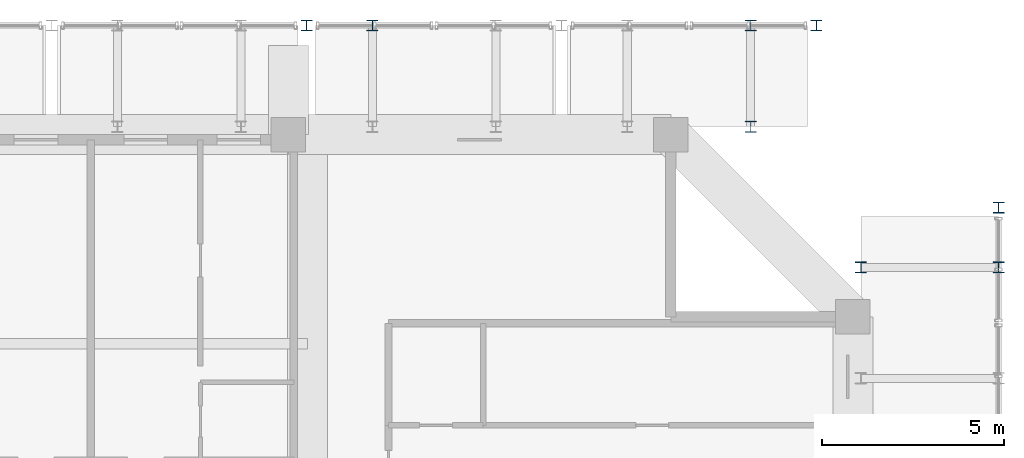
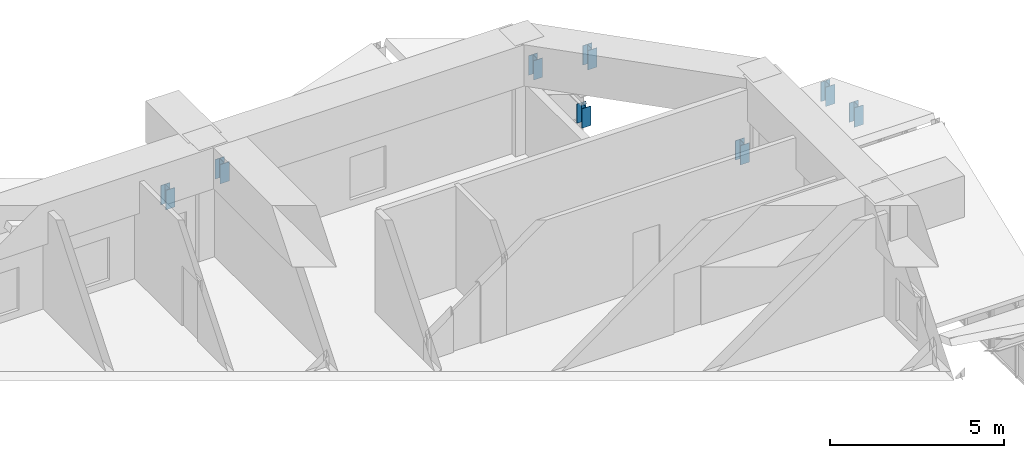
# One storey, part 31 of 45: 8 members.
"""IFC4 building model written with IfcOpenShell, lengths in metres."""

from ifc_helpers import new_model, si_unit, direction, frame, origin, origin_2d, place, context, subcontext, project, spatial, i_section, extrude, source, transform, mapped, material, material_profile, profile_set, type_object, element, save


model = new_model("IFC4")

# Units and contexts
model_context = context("Model", 3, precision=1e-05, world=origin(), true_north=direction((0.0, 1.0)))
body_context = subcontext(model_context, "Body", "Model", "MODEL_VIEW")
ifc_project = project(units=[si_unit("LENGTHUNIT", "METRE"), si_unit("AREAUNIT", "SQUARE_METRE"), si_unit("VOLUMEUNIT", "CUBIC_METRE"), si_unit("PLANEANGLEUNIT", "RADIAN"), si_unit("MASSUNIT", "GRAM", prefix="KILO")], contexts=[model_context])

# Site, building, storey
site_placement = place(None, origin())
site = spatial("IfcSite", under=ifc_project, at=site_placement, CompositionType="ELEMENT")
building_placement = place(site_placement, origin())
building = spatial("IfcBuilding", under=site, at=building_placement, Name="Saelheon Loggia Tower", CompositionType="ELEMENT")
storey_placement = place(building_placement, frame((0.0, 0.0, 152.199951171875)))
storey = spatial("IfcBuildingStorey", under=building, at=storey_placement, Name="L48", CompositionType="ELEMENT", Elevation=152.199951171875)

# Members
ifc_material = material(Name="Steel SM355", Category="steel")
ifc_material_profile_1 = material_profile(ifc_material, i_section(OverallWidth=0.300048828125, OverallDepth=0.300048828125, WebThickness=0.010009765625, FlangeThickness=0.014892578125, at=origin_2d()), Name="H-300x300x10x15")
ifc_profile_set_1 = profile_set([ifc_material_profile_1], Name="Steel SM355")
member_type_1 = type_object("IfcMemberType", Name="WaveCrest_Post_H300", PredefinedType="POST", material=ifc_profile_set_1)
shared_shape_1 = source(origin(), body_context, "Body", "SweptSolid", [
    extrude(i_section(OverallWidth=0.300048828125, OverallDepth=0.300048828125, WebThickness=0.010009765625, FlangeThickness=0.014892578125, at=origin_2d()), origin(), (0.0, 0.0, 1.0), 0.679931640625),
])
for number, where, z_axis, x_axis, name in (
    (1, (64.0, 46.0, -0.47998046875), (0.0, 0.0, 1.0), (1.0, 0.0, 0.0), "Tier 1 Wave Crest Upper Post E 06"),
    (2, (45.0, 51.0, -0.47998046875), (0.0, 0.0, 1.0), (1.0, 0.0, 0.0), "Tier 1 Wave Crest Upper Post N 04"),
    (3, (59.0, 51.0, -0.47998046875), (0.0, 0.0, 1.0), (1.0, 0.0, 0.0), "Tier 1 Wave Crest Upper Post N 06"),
    (4, (46.8046875, 51.0, -0.203857421875), (0.0, 0.0, 1.0), (1.0, 0.0, 0.0), "Tier 1 Rafter Outer Upper Post N 05"),
    (5, (57.1953125, 51.0, -0.203857421875), (0.0, 0.0, 1.0), (1.0, 0.0, 0.0), "Tier 1 Rafter Outer Upper Post N 06"),
):
    element("IfcMember", number, at=place(storey_placement, frame(where, z_axis=z_axis, x_axis=x_axis)), inside=storey, type_object=member_type_1, Name=name, PredefinedType="POST", context=body_context, shape_type="MappedRepresentation", body=[
        mapped(shared_shape_1, transform((0.0, 0.0, 0.0), scale=1.0)),
    ])
ifc_material_profile_2 = material_profile(ifc_material, i_section(OverallWidth=0.300048828125, OverallDepth=0.300048828125, WebThickness=0.010009765625, FlangeThickness=0.014892578125, at=origin_2d()), Name="H-300x300x10x15")
ifc_profile_set_2 = profile_set([ifc_material_profile_2], Name="Steel SM355")
member_type_2 = type_object("IfcMemberType", Name="Belt_Post_H300", PredefinedType="POST", material=ifc_profile_set_2)
member_1_placement = place(storey_placement, frame((57.1953125, 48.219970703125, -0.203857421875), z_axis=(0.0, 0.0, 1.0), x_axis=(1.0, 0.0, 0.0)))
element("IfcMember", 6, at=member_1_placement, inside=storey, type_object=member_type_2, Name="Tier 1 Rafter Inner Post N 06", PredefinedType="POST", context=body_context, shape_type="MappedRepresentation", body=[
    mapped(shared_shape_1, transform((0.0, 0.0, 0.0), scale=1.0)),
])
shared_shape_2 = source(origin(), body_context, "Body", "SweptSolid", [
    extrude(i_section(OverallWidth=0.300048828125, OverallDepth=0.300048828125, WebThickness=0.010009765625, FlangeThickness=0.014892578125, at=origin_2d()), origin(), (0.0, 0.0, 1.0), 0.68017578125),
])
member_2_placement = place(storey_placement, frame((64.0, 44.355224609375, -0.2080078125), z_axis=(0.0, 0.0, 1.0), x_axis=(1.0, 0.0, 0.0)))
element("IfcMember", 7, at=member_2_placement, inside=storey, type_object=member_type_1, Name="Tier 1 Rafter Outer Upper Post E 06", PredefinedType="POST", context=body_context, shape_type="MappedRepresentation", body=[
    mapped(shared_shape_2, transform((0.0, 0.0, 0.0), scale=1.0)),
])
member_3_placement = place(storey_placement, frame((60.219970703125, 44.355224609375, -0.2080078125), z_axis=(0.0, 0.0, 1.0), x_axis=(1.0, 0.0, 0.0)))
element("IfcMember", 8, at=member_3_placement, inside=storey, type_object=member_type_2, Name="Tier 1 Rafter Inner Post E 06", PredefinedType="POST", context=body_context, shape_type="MappedRepresentation", body=[
    mapped(shared_shape_2, transform((0.0, 0.0, 0.0), scale=1.0)),
])

save(model, "model.ifc")
